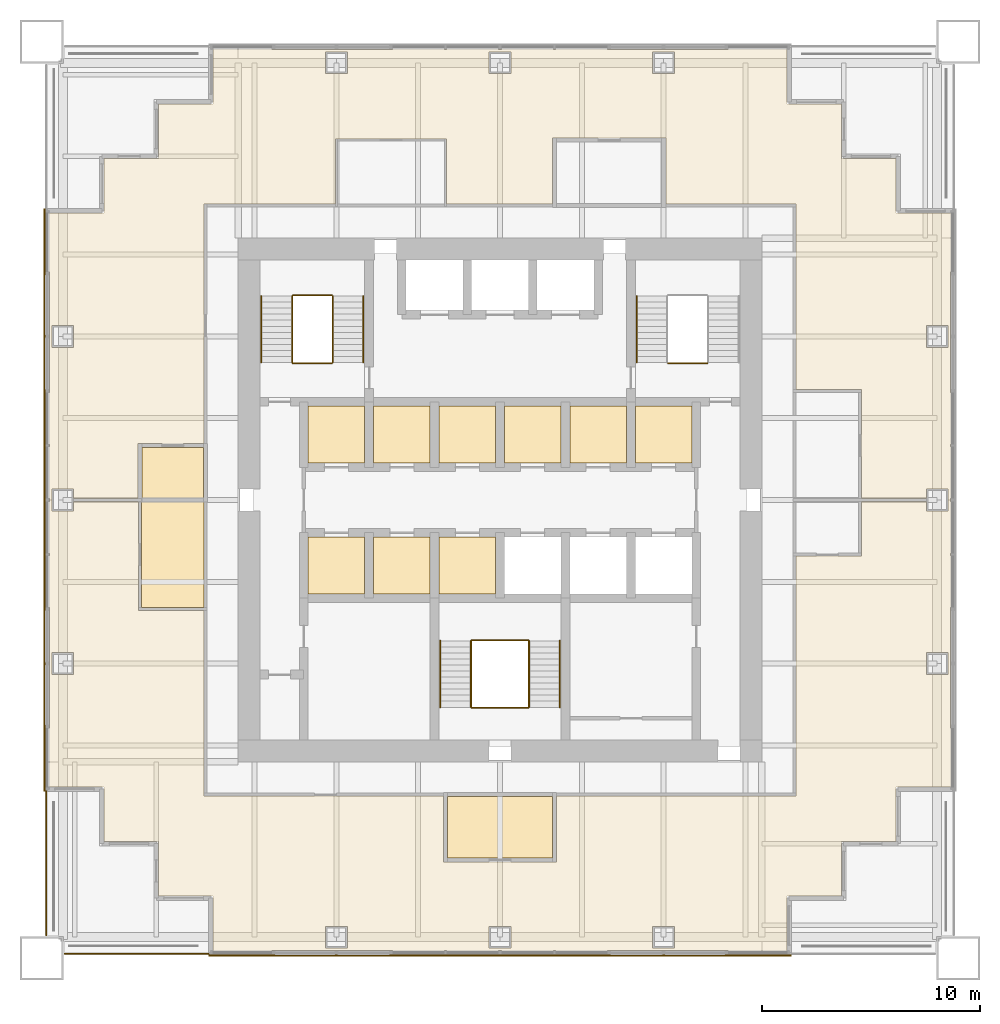
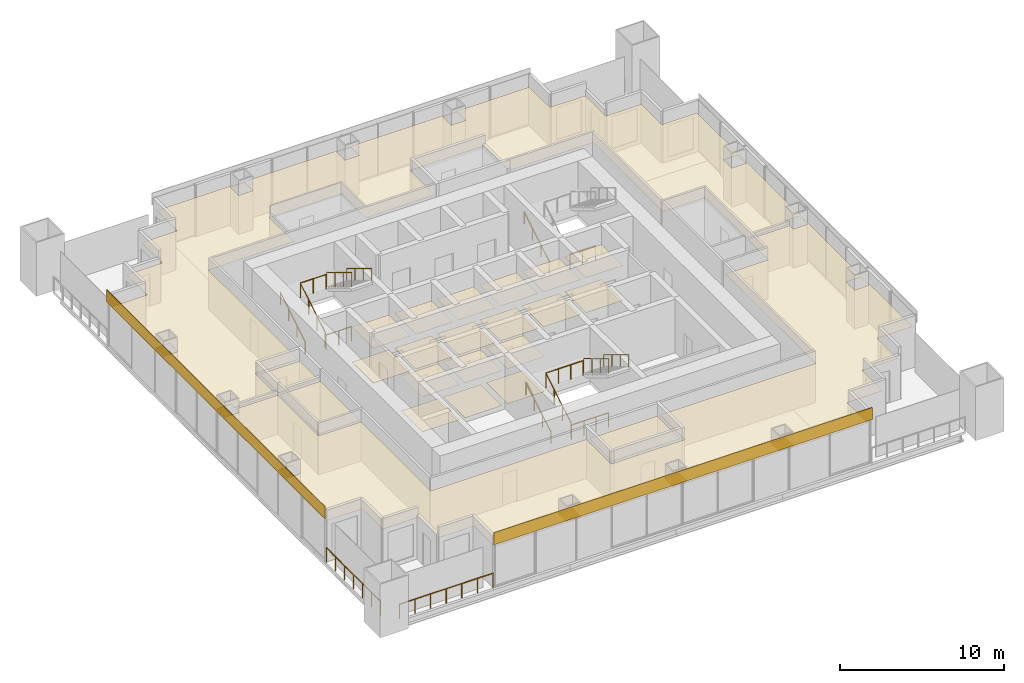
# One storey, part 13 of 14: 25 coverings, 16 railings.
"""IFC4 building model written with IfcOpenShell, lengths in metres."""

from ifc_helpers import new_model, si_unit, direction, frame, origin, origin_2d, place, context, subcontext, project, spatial, polyline, rectangle, circle, outline, extrude, material, layer, layer_set, type_object, element, save


model = new_model("IFC4")

# Units and contexts
model_context = context("Model", 3, precision=1e-05, world=origin(), true_north=direction((0.0, 1.0)))
body_context = subcontext(model_context, "Body", "Model", "MODEL_VIEW")
ifc_project = project(units=[si_unit("LENGTHUNIT", "METRE"), si_unit("AREAUNIT", "SQUARE_METRE"), si_unit("VOLUMEUNIT", "CUBIC_METRE"), si_unit("PLANEANGLEUNIT", "RADIAN"), si_unit("MASSUNIT", "GRAM", prefix="KILO")], contexts=[model_context])

# Site, building, storey
site_placement = place(None, origin())
site = spatial("IfcSite", under=ifc_project, at=site_placement, CompositionType="ELEMENT")
building_placement = place(site_placement, origin())
building = spatial("IfcBuilding", under=site, at=building_placement, Name="Tarangal Relay Tower", CompositionType="ELEMENT")
storey_placement = place(building_placement, frame((0.0, 0.0, 283.89990234375)))
storey = spatial("IfcBuildingStorey", under=building, at=storey_placement, Name="L62", CompositionType="ELEMENT", Elevation=283.89990234375)

# Coverings
ifc_material_1 = material(Name="Anti-static vinyl flooring", Category="plastic")
ifc_layer_1 = layer(ifc_material_1, 0.010009765625)
ifc_layer_set_1 = layer_set([ifc_layer_1], Name="Anti-static vinyl floor")
covering_type_1 = type_object("IfcCoveringType", Name="Anti-static vinyl floor", PredefinedType="FLOORING", material=ifc_layer_set_1)
covering_1_placement = place(storey_placement, origin())
element("IfcCovering", 1, at=covering_1_placement, inside=storey, type_object=covering_type_1, Name="Floor finish FL1 L62-D1", PredefinedType="FLOORING", context=body_context, shape_type="SweptSolid", body=[
    extrude(outline(polyline([(-8.800048828125, 1.699951171875), (-6.199951171875, 1.699951171875), (-6.199951171875, 4.300048828125), (-8.800048828125, 4.300048828125), (-8.800048828125, 1.699951171875)])), origin(), (0.0, 0.0, 1.0), 0.010009765625),
])
covering_2_placement = place(storey_placement, origin())
element("IfcCovering", 2, at=covering_2_placement, inside=storey, type_object=covering_type_1, Name="Floor finish FL1 L62-D2", PredefinedType="FLOORING", context=body_context, shape_type="SweptSolid", body=[
    extrude(outline(polyline([(-5.800048828125, 1.699951171875), (-3.199951171875, 1.699951171875), (-3.199951171875, 4.300048828125), (-5.800048828125, 4.300048828125), (-5.800048828125, 1.699951171875)])), origin(), (0.0, 0.0, 1.0), 0.010009765625),
])
covering_3_placement = place(storey_placement, origin())
element("IfcCovering", 3, at=covering_3_placement, inside=storey, type_object=covering_type_1, Name="Floor finish FL1 L62-D3", PredefinedType="FLOORING", context=body_context, shape_type="SweptSolid", body=[
    extrude(outline(polyline([(-2.800048828125, 1.699951171875), (-0.199951171875, 1.699951171875), (-0.199951171875, 4.300048828125), (-2.800048828125, 4.300048828125), (-2.800048828125, 1.699951171875)])), origin(), (0.0, 0.0, 1.0), 0.010009765625),
])
covering_4_placement = place(storey_placement, origin())
element("IfcCovering", 4, at=covering_4_placement, inside=storey, type_object=covering_type_1, Name="Floor finish FL1 L62-T1", PredefinedType="FLOORING", context=body_context, shape_type="SweptSolid", body=[
    extrude(outline(polyline([(0.199951171875, 1.699951171875), (2.800048828125, 1.699951171875), (2.800048828125, 4.300048828125), (0.199951171875, 4.300048828125), (0.199951171875, 1.699951171875)])), origin(), (0.0, 0.0, 1.0), 0.010009765625),
])
covering_5_placement = place(storey_placement, origin())
element("IfcCovering", 5, at=covering_5_placement, inside=storey, type_object=covering_type_1, Name="Floor finish FL1 L62-T2", PredefinedType="FLOORING", context=body_context, shape_type="SweptSolid", body=[
    extrude(outline(polyline([(3.199951171875, 1.699951171875), (5.800048828125, 1.699951171875), (5.800048828125, 4.300048828125), (3.199951171875, 4.300048828125), (3.199951171875, 1.699951171875)])), origin(), (0.0, 0.0, 1.0), 0.010009765625),
])
covering_6_placement = place(storey_placement, origin())
element("IfcCovering", 6, at=covering_6_placement, inside=storey, type_object=covering_type_1, Name="Floor finish FL1 L62-T3", PredefinedType="FLOORING", context=body_context, shape_type="SweptSolid", body=[
    extrude(outline(polyline([(6.199951171875, 1.699951171875), (8.800048828125, 1.699951171875), (8.800048828125, 4.300048828125), (6.199951171875, 4.300048828125), (6.199951171875, 1.699951171875)])), origin(), (0.0, 0.0, 1.0), 0.010009765625),
])
covering_7_placement = place(storey_placement, origin())
element("IfcCovering", 7, at=covering_7_placement, inside=storey, type_object=covering_type_1, Name="Floor finish FL1 L62-S1", PredefinedType="FLOORING", context=body_context, shape_type="SweptSolid", body=[
    extrude(outline(polyline([(-8.800048828125, -4.300048828125), (-6.199951171875, -4.300048828125), (-6.199951171875, -1.699951171875), (-8.800048828125, -1.699951171875), (-8.800048828125, -4.300048828125)])), origin(), (0.0, 0.0, 1.0), 0.010009765625),
])
covering_8_placement = place(storey_placement, origin())
element("IfcCovering", 8, at=covering_8_placement, inside=storey, type_object=covering_type_1, Name="Floor finish FL1 L62-S2", PredefinedType="FLOORING", context=body_context, shape_type="SweptSolid", body=[
    extrude(outline(polyline([(-5.800048828125, -4.300048828125), (-3.199951171875, -4.300048828125), (-3.199951171875, -1.699951171875), (-5.800048828125, -1.699951171875), (-5.800048828125, -4.300048828125)])), origin(), (0.0, 0.0, 1.0), 0.010009765625),
])
covering_9_placement = place(storey_placement, origin())
element("IfcCovering", 9, at=covering_9_placement, inside=storey, type_object=covering_type_1, Name="Floor finish FL1 L62-S3", PredefinedType="FLOORING", context=body_context, shape_type="SweptSolid", body=[
    extrude(outline(polyline([(-2.800048828125, -4.300048828125), (-0.199951171875, -4.300048828125), (-0.199951171875, -1.699951171875), (-2.800048828125, -1.699951171875), (-2.800048828125, -4.300048828125)])), origin(), (0.0, 0.0, 1.0), 0.010009765625),
])
ifc_material_2 = material(Name="Black anodised aluminium cladding", Category="aluminium")
ifc_layer_2 = layer(ifc_material_2, 0.050048828125)
ifc_layer_set_2 = layer_set([ifc_layer_2], Name="Black metal spandrel band")
covering_type_2 = type_object("IfcCoveringType", Name="Black metal spandrel band", PredefinedType="CLADDING", material=ifc_layer_set_2)
for number, where, z_axis, x_axis, name in (
    (10, (0.0, -20.875, 3.250244140625), (0.0, 0.0, 1.0), (-1.0, 0.0, 0.0), "Spandrel band SB1 S L62"),
    (11, (-20.875, 0.0, 3.250244140625), (0.0, 0.0, 1.0), (0.0, 1.0, 0.0), "Spandrel band SB1 W L62"),
):
    element("IfcCovering", number, at=place(storey_placement, frame(where, z_axis=z_axis, x_axis=x_axis)), inside=storey, type_object=covering_type_2, Name=name, PredefinedType="CLADDING", context=body_context, shape_type="SweptSolid", body=[
        extrude(rectangle(XDim=26.699951171875, YDim=0.050048828125, at=origin_2d()), origin(), (0.0, 0.0, 1.0), 0.89990234375),
    ])

# Railings
ifc_material_3 = material(Name="Steel guard, black finish", Category="steel")
railing_type_1 = type_object("IfcRailingType", Name="Stair guard 1100", PredefinedType="GUARDRAIL", material=ifc_material_3)
railing_1_placement = place(storey_placement, frame((-9.530029296875, 6.300048828125, 0.166748046875)))
element("IfcRailing", 12, at=railing_1_placement, inside=storey, type_object=railing_type_1, Name="Stair ST-A guard GR1 L62 flight 1", PredefinedType="GUARDRAIL", context=body_context, shape_type="SweptSolid", body=[
    extrude(circle(Radius=0.02392578125, at=origin_2d()), frame((0.0, 0.0, 1.076171875), z_axis=(0.0, 0.85685617095, 0.515555527858), x_axis=(-1.0, 0.0, 0.0)), (0.0, 0.0, 1.0), 3.555908203125),
    extrude(circle(Radius=0.02099609375, at=origin_2d()), origin(), (0.0, 0.0, 1.0), 1.052001953125),
    extrude(circle(Radius=0.02099609375, at=origin_2d()), frame((0.0, 1.015625, 0.611083984375)), (0.0, 0.0, 1.0), 1.052001953125),
    extrude(circle(Radius=0.02099609375, at=origin_2d()), frame((0.0, 2.03125, 1.22216796875)), (0.0, 0.0, 1.0), 1.052001953125),
    extrude(circle(Radius=0.02099609375, at=origin_2d()), frame((0.0, 3.046875, 1.833251953125)), (0.0, 0.0, 1.0), 1.052001953125),
])
railing_2_placement = place(storey_placement, frame((-7.669921875, 9.346923828125, 2.166748046875)))
element("IfcRailing", 13, at=railing_2_placement, inside=storey, type_object=railing_type_1, Name="Stair ST-A guard GR1 L62 flight 2", PredefinedType="GUARDRAIL", context=body_context, shape_type="SweptSolid", body=[
    extrude(circle(Radius=0.02392578125, at=origin_2d()), frame((0.0, 0.0, 1.076171875), z_axis=(0.0, -0.85685617095, 0.515555527858), x_axis=(1.0, 0.0, 0.0)), (0.0, 0.0, 1.0), 3.555908203125),
    extrude(circle(Radius=0.02099609375, at=origin_2d()), origin(), (0.0, 0.0, 1.0), 1.052001953125),
    extrude(circle(Radius=0.02099609375, at=origin_2d()), frame((0.0, -1.015625, 0.611083984375)), (0.0, 0.0, 1.0), 1.052001953125),
    extrude(circle(Radius=0.02099609375, at=origin_2d()), frame((0.0, -2.03125, 1.22216796875)), (0.0, 0.0, 1.0), 1.052001953125),
    extrude(circle(Radius=0.02099609375, at=origin_2d()), frame((0.0, -3.046875, 1.833251953125)), (0.0, 0.0, 1.0), 1.052001953125),
])
for number, where, name in (
    (14, (-9.5, 6.27001953125, 0.0), "Stair ST-A landing guard GR1 L62"),
    (15, (-9.5, 9.376953125, 2.0), "Stair ST-A landing guard GR1 L62"),
    (16, (7.699951171875, 6.27001953125, 0.0), "Stair ST-B landing guard GR1 L62"),
):
    element("IfcRailing", number, at=place(storey_placement, frame(where)), inside=storey, type_object=railing_type_1, Name=name, PredefinedType="GUARDRAIL", context=body_context, shape_type="SweptSolid", body=[
        extrude(circle(Radius=0.02392578125, at=origin_2d()), frame((0.0, 0.0, 1.076171875), z_axis=(1.0, 0.0, 0.0), x_axis=(0.0, 1.0, 0.0)), (0.0, 0.0, 1.0), 1.800048828125),
        extrude(circle(Radius=0.02099609375, at=origin_2d()), origin(), (0.0, 0.0, 1.0), 1.052001953125),
        extrude(circle(Radius=0.02099609375, at=origin_2d()), frame((0.89990234375, 0.0, 0.0)), (0.0, 0.0, 1.0), 1.052001953125),
        extrude(circle(Radius=0.02099609375, at=origin_2d()), frame((1.800048828125, 0.0, 0.0)), (0.0, 0.0, 1.0), 1.052001953125),
    ])
railing_3_placement = place(storey_placement, frame((-1.330078125, -9.5, 0.166748046875)))
element("IfcRailing", 17, at=railing_3_placement, inside=storey, type_object=railing_type_1, Name="Stair ST-C guard GR1 L62 flight 1", PredefinedType="GUARDRAIL", context=body_context, shape_type="SweptSolid", body=[
    extrude(circle(Radius=0.02392578125, at=origin_2d()), frame((0.0, 0.0, 1.076171875), z_axis=(0.0, 0.856874418557, 0.515525199018), x_axis=(-1.0, 0.0, 0.0)), (0.0, 0.0, 1.0), 3.55615234375),
    extrude(circle(Radius=0.02099609375, at=origin_2d()), origin(), (0.0, 0.0, 1.0), 1.052001953125),
    extrude(circle(Radius=0.02099609375, at=origin_2d()), frame((0.0, 1.015625, 0.611083984375)), (0.0, 0.0, 1.0), 1.052001953125),
    extrude(circle(Radius=0.02099609375, at=origin_2d()), frame((0.0, 2.031494140625, 1.22216796875)), (0.0, 0.0, 1.0), 1.052001953125),
    extrude(circle(Radius=0.02099609375, at=origin_2d()), frame((0.0, 3.047119140625, 1.833251953125)), (0.0, 0.0, 1.0), 1.052001953125),
])
railing_4_placement = place(storey_placement, frame((1.330078125, -6.452880859375, 2.166748046875)))
element("IfcRailing", 18, at=railing_4_placement, inside=storey, type_object=railing_type_1, Name="Stair ST-C guard GR1 L62 flight 2", PredefinedType="GUARDRAIL", context=body_context, shape_type="SweptSolid", body=[
    extrude(circle(Radius=0.02392578125, at=origin_2d()), frame((0.0, 0.0, 1.076171875), z_axis=(0.0, -0.856874418557, 0.515525199018), x_axis=(1.0, 0.0, 0.0)), (0.0, 0.0, 1.0), 3.55615234375),
    extrude(circle(Radius=0.02099609375, at=origin_2d()), origin(), (0.0, 0.0, 1.0), 1.052001953125),
    extrude(circle(Radius=0.02099609375, at=origin_2d()), frame((0.0, -1.015625, 0.611083984375)), (0.0, 0.0, 1.0), 1.052001953125),
    extrude(circle(Radius=0.02099609375, at=origin_2d()), frame((0.0, -2.031494140625, 1.22216796875)), (0.0, 0.0, 1.0), 1.052001953125),
    extrude(circle(Radius=0.02099609375, at=origin_2d()), frame((0.0, -3.047119140625, 1.833251953125)), (0.0, 0.0, 1.0), 1.052001953125),
])
for number, where, name in (
    (19, (-1.300048828125, -9.530029296875, 0.0), "Stair ST-C landing guard GR1 L62"),
    (20, (-1.300048828125, -6.423095703125, 2.0), "Stair ST-C landing guard GR1 L62"),
):
    element("IfcRailing", number, at=place(storey_placement, frame(where)), inside=storey, type_object=railing_type_1, Name=name, PredefinedType="GUARDRAIL", context=body_context, shape_type="SweptSolid", body=[
        extrude(circle(Radius=0.02392578125, at=origin_2d()), frame((0.0, 0.0, 1.076171875), z_axis=(1.0, 0.0, 0.0), x_axis=(0.0, 1.0, 0.0)), (0.0, 0.0, 1.0), 2.60009765625),
        extrude(circle(Radius=0.02099609375, at=origin_2d()), origin(), (0.0, 0.0, 1.0), 1.052001953125),
        extrude(circle(Radius=0.02099609375, at=origin_2d()), frame((0.86669921875, 0.0, 0.0)), (0.0, 0.0, 1.0), 1.052001953125),
        extrude(circle(Radius=0.02099609375, at=origin_2d()), frame((1.7333984375, 0.0, 0.0)), (0.0, 0.0, 1.0), 1.052001953125),
        extrude(circle(Radius=0.02099609375, at=origin_2d()), frame((2.60009765625, 0.0, 0.0)), (0.0, 0.0, 1.0), 1.052001953125),
    ])
ifc_material_4 = material(Name="Steel handrail, black finish", Category="steel")
railing_type_2 = type_object("IfcRailingType", Name="Stair handrail 900", PredefinedType="HANDRAIL", material=ifc_material_4)
railing_5_placement = place(storey_placement, frame((-10.93994140625, 6.300048828125, 0.166748046875)))
element("IfcRailing", 21, at=railing_5_placement, inside=storey, type_object=railing_type_2, Name="Stair ST-A handrail HR1 L62 flight 1", PredefinedType="HANDRAIL", context=body_context, shape_type="SweptSolid", body=[
    extrude(circle(Radius=0.02392578125, at=origin_2d()), frame((0.0, 0.0, 0.8759765625), z_axis=(0.0, 0.85685617095, 0.515555527858), x_axis=(-1.0, 0.0, 0.0)), (0.0, 0.0, 1.0), 3.555908203125),
    extrude(circle(Radius=0.02099609375, at=origin_2d()), origin(), (0.0, 0.0, 1.0), 0.851806640625),
    extrude(circle(Radius=0.02099609375, at=origin_2d()), frame((0.0, 1.015625, 0.611083984375)), (0.0, 0.0, 1.0), 0.851806640625),
    extrude(circle(Radius=0.02099609375, at=origin_2d()), frame((0.0, 2.03125, 1.22216796875)), (0.0, 0.0, 1.0), 0.851806640625),
    extrude(circle(Radius=0.02099609375, at=origin_2d()), frame((0.0, 3.046875, 1.833251953125)), (0.0, 0.0, 1.0), 0.851806640625),
])
railing_6_placement = place(storey_placement, frame((-6.260009765625, 9.346923828125, 2.166748046875)))
element("IfcRailing", 22, at=railing_6_placement, inside=storey, type_object=railing_type_2, Name="Stair ST-A handrail HR1 L62 flight 2", PredefinedType="HANDRAIL", context=body_context, shape_type="SweptSolid", body=[
    extrude(circle(Radius=0.02392578125, at=origin_2d()), frame((0.0, 0.0, 0.8759765625), z_axis=(0.0, -0.85685617095, 0.515555527858), x_axis=(1.0, 0.0, 0.0)), (0.0, 0.0, 1.0), 3.555908203125),
    extrude(circle(Radius=0.02099609375, at=origin_2d()), origin(), (0.0, 0.0, 1.0), 0.851806640625),
    extrude(circle(Radius=0.02099609375, at=origin_2d()), frame((0.0, -1.015625, 0.611083984375)), (0.0, 0.0, 1.0), 0.851806640625),
    extrude(circle(Radius=0.02099609375, at=origin_2d()), frame((0.0, -2.03125, 1.22216796875)), (0.0, 0.0, 1.0), 0.851806640625),
    extrude(circle(Radius=0.02099609375, at=origin_2d()), frame((0.0, -3.046875, 1.833251953125)), (0.0, 0.0, 1.0), 0.851806640625),
])
railing_7_placement = place(storey_placement, frame((6.260009765625, 6.300048828125, 0.166748046875)))
element("IfcRailing", 23, at=railing_7_placement, inside=storey, type_object=railing_type_2, Name="Stair ST-B handrail HR1 L62 flight 1", PredefinedType="HANDRAIL", context=body_context, shape_type="SweptSolid", body=[
    extrude(circle(Radius=0.02392578125, at=origin_2d()), frame((0.0, 0.0, 0.8759765625), z_axis=(0.0, 0.85685617095, 0.515555527858), x_axis=(-1.0, 0.0, 0.0)), (0.0, 0.0, 1.0), 3.555908203125),
    extrude(circle(Radius=0.02099609375, at=origin_2d()), origin(), (0.0, 0.0, 1.0), 0.851806640625),
    extrude(circle(Radius=0.02099609375, at=origin_2d()), frame((0.0, 1.015625, 0.611083984375)), (0.0, 0.0, 1.0), 0.851806640625),
    extrude(circle(Radius=0.02099609375, at=origin_2d()), frame((0.0, 2.03125, 1.22216796875)), (0.0, 0.0, 1.0), 0.851806640625),
    extrude(circle(Radius=0.02099609375, at=origin_2d()), frame((0.0, 3.046875, 1.833251953125)), (0.0, 0.0, 1.0), 0.851806640625),
])
railing_8_placement = place(storey_placement, frame((-2.739990234375, -9.5, 0.166748046875)))
element("IfcRailing", 24, at=railing_8_placement, inside=storey, type_object=railing_type_2, Name="Stair ST-C handrail HR1 L62 flight 1", PredefinedType="HANDRAIL", context=body_context, shape_type="SweptSolid", body=[
    extrude(circle(Radius=0.02392578125, at=origin_2d()), frame((0.0, 0.0, 0.8759765625), z_axis=(0.0, 0.856874418557, 0.515525199018), x_axis=(-1.0, 0.0, 0.0)), (0.0, 0.0, 1.0), 3.55615234375),
    extrude(circle(Radius=0.02099609375, at=origin_2d()), origin(), (0.0, 0.0, 1.0), 0.851806640625),
    extrude(circle(Radius=0.02099609375, at=origin_2d()), frame((0.0, 1.015625, 0.611083984375)), (0.0, 0.0, 1.0), 0.851806640625),
    extrude(circle(Radius=0.02099609375, at=origin_2d()), frame((0.0, 2.031494140625, 1.22216796875)), (0.0, 0.0, 1.0), 0.851806640625),
    extrude(circle(Radius=0.02099609375, at=origin_2d()), frame((0.0, 3.047119140625, 1.833251953125)), (0.0, 0.0, 1.0), 0.851806640625),
])
railing_9_placement = place(storey_placement, frame((2.739990234375, -6.452880859375, 2.166748046875)))
element("IfcRailing", 25, at=railing_9_placement, inside=storey, type_object=railing_type_2, Name="Stair ST-C handrail HR1 L62 flight 2", PredefinedType="HANDRAIL", context=body_context, shape_type="SweptSolid", body=[
    extrude(circle(Radius=0.02392578125, at=origin_2d()), frame((0.0, 0.0, 0.8759765625), z_axis=(0.0, -0.856874418557, 0.515525199018), x_axis=(1.0, 0.0, 0.0)), (0.0, 0.0, 1.0), 3.55615234375),
    extrude(circle(Radius=0.02099609375, at=origin_2d()), origin(), (0.0, 0.0, 1.0), 0.851806640625),
    extrude(circle(Radius=0.02099609375, at=origin_2d()), frame((0.0, -1.015625, 0.611083984375)), (0.0, 0.0, 1.0), 0.851806640625),
    extrude(circle(Radius=0.02099609375, at=origin_2d()), frame((0.0, -2.031494140625, 1.22216796875)), (0.0, 0.0, 1.0), 0.851806640625),
    extrude(circle(Radius=0.02099609375, at=origin_2d()), frame((0.0, -3.047119140625, 1.833251953125)), (0.0, 0.0, 1.0), 0.851806640625),
])

# Coverings
ifc_material_5 = material(Name="Mineral fibre ceiling tiles", Category="gypsum")
ifc_layer_3 = layer(ifc_material_5, 0.02001953125)
ifc_layer_set_3 = layer_set([ifc_layer_3], Name="Suspended ceiling")
covering_type_3 = type_object("IfcCoveringType", Name="Suspended ceiling", PredefinedType="CEILING", material=ifc_layer_set_3)
covering_10_placement = place(storey_placement, frame((0.0, 0.0, 2.60009765625)))
element("IfcCovering", 26, at=covering_10_placement, inside=storey, type_object=covering_type_3, Name="Suspended ceiling CL1 L62-D1", PredefinedType="CEILING", context=body_context, shape_type="SweptSolid", body=[
    extrude(outline(polyline([(-8.800048828125, 1.699951171875), (-6.199951171875, 1.699951171875), (-6.199951171875, 4.300048828125), (-8.800048828125, 4.300048828125), (-8.800048828125, 1.699951171875)])), origin(), (0.0, 0.0, 1.0), 0.02001953125),
])
covering_11_placement = place(storey_placement, frame((0.0, 0.0, 2.60009765625)))
element("IfcCovering", 27, at=covering_11_placement, inside=storey, type_object=covering_type_3, Name="Suspended ceiling CL1 L62-D2", PredefinedType="CEILING", context=body_context, shape_type="SweptSolid", body=[
    extrude(outline(polyline([(-5.800048828125, 1.699951171875), (-3.199951171875, 1.699951171875), (-3.199951171875, 4.300048828125), (-5.800048828125, 4.300048828125), (-5.800048828125, 1.699951171875)])), origin(), (0.0, 0.0, 1.0), 0.02001953125),
])
covering_12_placement = place(storey_placement, frame((0.0, 0.0, 2.60009765625)))
element("IfcCovering", 28, at=covering_12_placement, inside=storey, type_object=covering_type_3, Name="Suspended ceiling CL1 L62-D3", PredefinedType="CEILING", context=body_context, shape_type="SweptSolid", body=[
    extrude(outline(polyline([(-2.800048828125, 1.699951171875), (-0.199951171875, 1.699951171875), (-0.199951171875, 4.300048828125), (-2.800048828125, 4.300048828125), (-2.800048828125, 1.699951171875)])), origin(), (0.0, 0.0, 1.0), 0.02001953125),
])
covering_13_placement = place(storey_placement, frame((0.0, 0.0, 2.60009765625)))
element("IfcCovering", 29, at=covering_13_placement, inside=storey, type_object=covering_type_3, Name="Suspended ceiling CL1 L62-T1", PredefinedType="CEILING", context=body_context, shape_type="SweptSolid", body=[
    extrude(outline(polyline([(0.199951171875, 1.699951171875), (2.800048828125, 1.699951171875), (2.800048828125, 4.300048828125), (0.199951171875, 4.300048828125), (0.199951171875, 1.699951171875)])), origin(), (0.0, 0.0, 1.0), 0.02001953125),
])
covering_14_placement = place(storey_placement, frame((0.0, 0.0, 2.60009765625)))
element("IfcCovering", 30, at=covering_14_placement, inside=storey, type_object=covering_type_3, Name="Suspended ceiling CL1 L62-T2", PredefinedType="CEILING", context=body_context, shape_type="SweptSolid", body=[
    extrude(outline(polyline([(3.199951171875, 1.699951171875), (5.800048828125, 1.699951171875), (5.800048828125, 4.300048828125), (3.199951171875, 4.300048828125), (3.199951171875, 1.699951171875)])), origin(), (0.0, 0.0, 1.0), 0.02001953125),
])
covering_15_placement = place(storey_placement, frame((0.0, 0.0, 2.60009765625)))
element("IfcCovering", 31, at=covering_15_placement, inside=storey, type_object=covering_type_3, Name="Suspended ceiling CL1 L62-T3", PredefinedType="CEILING", context=body_context, shape_type="SweptSolid", body=[
    extrude(outline(polyline([(6.199951171875, 1.699951171875), (8.800048828125, 1.699951171875), (8.800048828125, 4.300048828125), (6.199951171875, 4.300048828125), (6.199951171875, 1.699951171875)])), origin(), (0.0, 0.0, 1.0), 0.02001953125),
])
covering_16_placement = place(storey_placement, frame((0.0, 0.0, 2.60009765625)))
element("IfcCovering", 32, at=covering_16_placement, inside=storey, type_object=covering_type_3, Name="Suspended ceiling CL1 L62-S1", PredefinedType="CEILING", context=body_context, shape_type="SweptSolid", body=[
    extrude(outline(polyline([(-8.800048828125, -4.300048828125), (-6.199951171875, -4.300048828125), (-6.199951171875, -1.699951171875), (-8.800048828125, -1.699951171875), (-8.800048828125, -4.300048828125)])), origin(), (0.0, 0.0, 1.0), 0.02001953125),
])
covering_17_placement = place(storey_placement, frame((0.0, 0.0, 2.60009765625)))
element("IfcCovering", 33, at=covering_17_placement, inside=storey, type_object=covering_type_3, Name="Suspended ceiling CL1 L62-S2", PredefinedType="CEILING", context=body_context, shape_type="SweptSolid", body=[
    extrude(outline(polyline([(-5.800048828125, -4.300048828125), (-3.199951171875, -4.300048828125), (-3.199951171875, -1.699951171875), (-5.800048828125, -1.699951171875), (-5.800048828125, -4.300048828125)])), origin(), (0.0, 0.0, 1.0), 0.02001953125),
])
covering_18_placement = place(storey_placement, frame((0.0, 0.0, 2.60009765625)))
element("IfcCovering", 34, at=covering_18_placement, inside=storey, type_object=covering_type_3, Name="Suspended ceiling CL1 L62-S3", PredefinedType="CEILING", context=body_context, shape_type="SweptSolid", body=[
    extrude(outline(polyline([(-2.800048828125, -4.300048828125), (-0.199951171875, -4.300048828125), (-0.199951171875, -1.699951171875), (-2.800048828125, -1.699951171875), (-2.800048828125, -4.300048828125)])), origin(), (0.0, 0.0, 1.0), 0.02001953125),
])
covering_19_placement = place(storey_placement, frame((0.0, 0.0, 2.900146484375)))
element("IfcCovering", 35, at=covering_19_placement, inside=storey, type_object=covering_type_3, Name="Suspended ceiling CL1 L62-06", PredefinedType="CEILING", context=body_context, shape_type="SweptSolid", body=[
    extrude(outline(polyline([(-2.39990234375, -16.39990234375), (2.39990234375, -16.39990234375), (2.39990234375, -13.60009765625), (-2.39990234375, -13.60009765625), (-2.39990234375, -16.39990234375)])), origin(), (0.0, 0.0, 1.0), 0.02001953125),
])
covering_20_placement = place(storey_placement, frame((0.0, 0.0, 2.900146484375)))
element("IfcCovering", 36, at=covering_20_placement, inside=storey, type_object=covering_type_3, Name="Suspended ceiling CL1 L62-07", PredefinedType="CEILING", context=body_context, shape_type="SweptSolid", body=[
    extrude(outline(polyline([(-16.425048828125, -4.925048828125), (-13.574951171875, -4.925048828125), (-13.574951171875, -0.10009765625), (-16.425048828125, -0.10009765625), (-16.425048828125, -4.925048828125)])), origin(), (0.0, 0.0, 1.0), 0.02001953125),
])
covering_21_placement = place(storey_placement, frame((0.0, 0.0, 2.900146484375)))
element("IfcCovering", 37, at=covering_21_placement, inside=storey, type_object=covering_type_3, Name="Suspended ceiling CL1 L62-08", PredefinedType="CEILING", context=body_context, shape_type="SweptSolid", body=[
    extrude(outline(polyline([(-13.60009765625, 2.39990234375), (-16.39990234375, 2.39990234375), (-16.39990234375, 0.10009765625), (-13.60009765625, 0.10009765625), (-13.60009765625, 2.39990234375)])), origin(), (0.0, 0.0, 1.0), 0.02001953125),
])
covering_22_placement = place(storey_placement, frame((0.0, 0.0, 2.900146484375)))
element("IfcCovering", 38, at=covering_22_placement, inside=storey, type_object=covering_type_3, Name="Suspended ceiling CL1 L62-09", PredefinedType="CEILING", context=body_context, shape_type="SweptSolid", body=[
    extrude(outline(polyline([(-20.64990234375, 0.0), (-20.5400390625, 0.0), (-20.5400390625, 0.5), (-19.5400390625, 0.5), (-19.5400390625, 0.074951171875), (-16.60009765625, 0.074951171875), (-16.60009765625, 2.60009765625), (-13.574951171875, 2.60009765625), (-13.574951171875, 13.574951171875), (-7.550048828125, 13.574951171875), (-7.550048828125, 16.550048828125), (-2.449951171875, 16.550048828125), (-2.449951171875, 13.574951171875), (2.39990234375, 13.574951171875), (2.39990234375, 16.60009765625), (7.60009765625, 16.60009765625), (7.60009765625, 13.574951171875), (13.574951171875, 13.574951171875), (13.574951171875, 5.074951171875), (16.574951171875, 5.074951171875), (16.574951171875, 0.074951171875), (19.5400390625, 0.074951171875), (19.5400390625, 0.5), (20.5400390625, 0.5), (20.5400390625, 0.0), (20.64990234375, 0.0), (20.64990234375, 13.14990234375), (18.14990234375, 13.14990234375), (18.14990234375, 15.64990234375), (15.64990234375, 15.64990234375), (15.64990234375, 18.14990234375), (13.14990234375, 18.14990234375), (13.14990234375, 20.64990234375), (-13.14990234375, 20.64990234375), (-13.14990234375, 18.14990234375), (-15.64990234375, 18.14990234375), (-15.64990234375, 15.64990234375), (-18.14990234375, 15.64990234375), (-18.14990234375, 13.14990234375), (-20.64990234375, 13.14990234375), (-20.64990234375, 0.0)]), holes=[polyline([(-20.5400390625, 8.0), (-20.5400390625, 7.0), (-19.5400390625, 7.0), (-19.5400390625, 8.0), (-20.5400390625, 8.0)]), polyline([(19.5400390625, 8.0), (19.5400390625, 7.0), (20.5400390625, 7.0), (20.5400390625, 8.0), (19.5400390625, 8.0)]), polyline([(-8.0, 20.5400390625), (-8.0, 19.5400390625), (-7.0, 19.5400390625), (-7.0, 20.5400390625), (-8.0, 20.5400390625)]), polyline([(-0.5, 20.5400390625), (-0.5, 19.5400390625), (0.5, 19.5400390625), (0.5, 20.5400390625), (-0.5, 20.5400390625)]), polyline([(7.0, 20.5400390625), (7.0, 19.5400390625), (8.0, 19.5400390625), (8.0, 20.5400390625), (7.0, 20.5400390625)])]), origin(), (0.0, 0.0, 1.0), 0.02001953125),
])
covering_23_placement = place(storey_placement, frame((0.0, 0.0, 2.900146484375)))
element("IfcCovering", 39, at=covering_23_placement, inside=storey, type_object=covering_type_3, Name="Suspended ceiling CL1 L62-10", PredefinedType="CEILING", context=body_context, shape_type="SweptSolid", body=[
    extrude(outline(polyline([(20.64990234375, 0.0), (20.5400390625, 0.0), (20.5400390625, -0.5), (19.5400390625, -0.5), (19.5400390625, -0.074951171875), (16.574951171875, -0.074951171875), (16.574951171875, -2.574951171875), (13.574951171875, -2.574951171875), (13.574951171875, -13.574951171875), (2.60009765625, -13.574951171875), (2.60009765625, -16.60009765625), (-2.60009765625, -16.60009765625), (-2.60009765625, -13.574951171875), (-13.574951171875, -13.574951171875), (-13.574951171875, -5.074951171875), (-16.574951171875, -5.074951171875), (-16.574951171875, -0.10009765625), (-16.60009765625, -0.10009765625), (-16.60009765625, -0.074951171875), (-19.5400390625, -0.074951171875), (-19.5400390625, -0.5), (-20.5400390625, -0.5), (-20.5400390625, 0.0), (-20.64990234375, 0.0), (-20.64990234375, -13.14990234375), (-18.14990234375, -13.14990234375), (-18.14990234375, -15.64990234375), (-15.64990234375, -15.64990234375), (-15.64990234375, -18.14990234375), (-13.14990234375, -18.14990234375), (-13.14990234375, -20.64990234375), (13.14990234375, -20.64990234375), (13.14990234375, -18.14990234375), (15.64990234375, -18.14990234375), (15.64990234375, -15.64990234375), (18.14990234375, -15.64990234375), (18.14990234375, -13.14990234375), (20.64990234375, -13.14990234375), (20.64990234375, 0.0)]), holes=[polyline([(-8.0, -20.5400390625), (-7.0, -20.5400390625), (-7.0, -19.5400390625), (-8.0, -19.5400390625), (-8.0, -20.5400390625)]), polyline([(-0.5, -19.5400390625), (-0.5, -20.5400390625), (0.5, -20.5400390625), (0.5, -19.5400390625), (-0.5, -19.5400390625)]), polyline([(7.0, -19.5400390625), (7.0, -20.5400390625), (8.0, -20.5400390625), (8.0, -19.5400390625), (7.0, -19.5400390625)]), polyline([(-20.5400390625, -7.0), (-20.5400390625, -8.0), (-19.5400390625, -8.0), (-19.5400390625, -7.0), (-20.5400390625, -7.0)]), polyline([(19.5400390625, -7.0), (19.5400390625, -8.0), (20.5400390625, -8.0), (20.5400390625, -7.0), (19.5400390625, -7.0)])]), origin(), (0.0, 0.0, 1.0), 0.02001953125),
])

# Railings
ifc_material_6 = material(Name="Black steel guard with glass infill", Category="steel")
railing_type_3 = type_object("IfcRailingType", Name="Terrace guard 1100", PredefinedType="GUARDRAIL", material=ifc_material_6)
railing_10_placement = place(storey_placement, frame((-13.35009765625, -20.800048828125, 0.0)))
element("IfcRailing", 40, at=railing_10_placement, inside=storey, type_object=railing_type_3, Name="Terrace guard GR2 SW L62", PredefinedType="GUARDRAIL", context=body_context, shape_type="SweptSolid", body=[
    extrude(circle(Radius=0.02392578125, at=origin_2d()), frame((0.0, 0.0, 1.076171875), z_axis=(-1.0, 0.0, 0.0), x_axis=(0.0, -1.0, 0.0)), (0.0, 0.0, 1.0), 6.599853515625),
    extrude(circle(Radius=0.02099609375, at=origin_2d()), origin(), (0.0, 0.0, 1.0), 1.052001953125),
    extrude(circle(Radius=0.02099609375, at=origin_2d()), frame((-1.10009765625, 0.0, 0.0)), (0.0, 0.0, 1.0), 1.052001953125),
    extrude(circle(Radius=0.02099609375, at=origin_2d()), frame((-2.199951171875, 0.0, 0.0)), (0.0, 0.0, 1.0), 1.052001953125),
    extrude(circle(Radius=0.02099609375, at=origin_2d()), frame((-3.2998046875, 0.0, 0.0)), (0.0, 0.0, 1.0), 1.052001953125),
    extrude(circle(Radius=0.02099609375, at=origin_2d()), frame((-4.39990234375, 0.0, 0.0)), (0.0, 0.0, 1.0), 1.052001953125),
    extrude(circle(Radius=0.02099609375, at=origin_2d()), frame((-5.5, 0.0, 0.0)), (0.0, 0.0, 1.0), 1.052001953125),
    extrude(circle(Radius=0.02099609375, at=origin_2d()), frame((-6.599853515625, 0.0, 0.0)), (0.0, 0.0, 1.0), 1.052001953125),
])
railing_11_placement = place(storey_placement, frame((-20.800048828125, -19.949951171875, 0.0)))
element("IfcRailing", 41, at=railing_11_placement, inside=storey, type_object=railing_type_3, Name="Terrace guard GR2 SW L62", PredefinedType="GUARDRAIL", context=body_context, shape_type="SweptSolid", body=[
    extrude(circle(Radius=0.02392578125, at=origin_2d()), frame((0.0, 0.0, 1.076171875), z_axis=(0.0, 1.0, 0.0), x_axis=(-1.0, 0.0, 0.0)), (0.0, 0.0, 1.0), 6.599853515625),
    extrude(circle(Radius=0.02099609375, at=origin_2d()), origin(), (0.0, 0.0, 1.0), 1.052001953125),
    extrude(circle(Radius=0.02099609375, at=origin_2d()), frame((0.0, 1.10009765625, 0.0)), (0.0, 0.0, 1.0), 1.052001953125),
    extrude(circle(Radius=0.02099609375, at=origin_2d()), frame((0.0, 2.199951171875, 0.0)), (0.0, 0.0, 1.0), 1.052001953125),
    extrude(circle(Radius=0.02099609375, at=origin_2d()), frame((0.0, 3.2998046875, 0.0)), (0.0, 0.0, 1.0), 1.052001953125),
    extrude(circle(Radius=0.02099609375, at=origin_2d()), frame((0.0, 4.39990234375, 0.0)), (0.0, 0.0, 1.0), 1.052001953125),
    extrude(circle(Radius=0.02099609375, at=origin_2d()), frame((0.0, 5.5, 0.0)), (0.0, 0.0, 1.0), 1.052001953125),
    extrude(circle(Radius=0.02099609375, at=origin_2d()), frame((0.0, 6.599853515625, 0.0)), (0.0, 0.0, 1.0), 1.052001953125),
])

save(model, "model.ifc")
